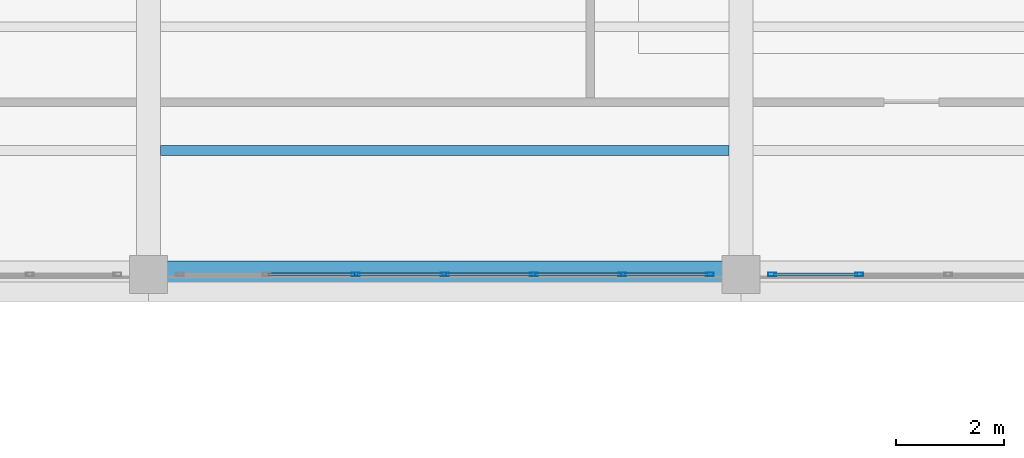
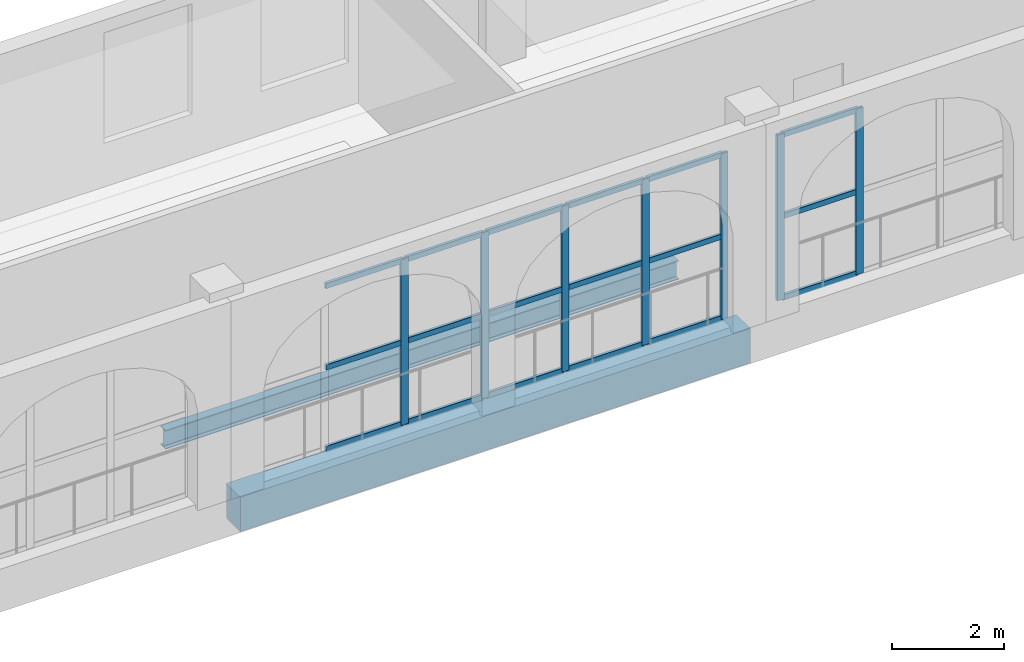
# One storey, part 53 of 156: 25 members, 2 beams, 2 elements without a shape of their own.
"""IFC4 building model written with IfcOpenShell, lengths in metres."""

from ifc_helpers import new_model, si_unit, direction, frame, origin, origin_2d, place, context, subcontext, project, spatial, rectangle, hollow_rectangle, i_section, extrude, material, material_profile, profile_set, type_object, element, aggregate, save


model = new_model("IFC4")

# Units and contexts
model_context = context("Model", 3, precision=1e-05, world=origin(), true_north=direction((0.0, 1.0)))
body_context = subcontext(model_context, "Body", "Model", "MODEL_VIEW")
ifc_project = project(units=[si_unit("LENGTHUNIT", "METRE"), si_unit("AREAUNIT", "SQUARE_METRE"), si_unit("VOLUMEUNIT", "CUBIC_METRE"), si_unit("PLANEANGLEUNIT", "RADIAN"), si_unit("MASSUNIT", "GRAM", prefix="KILO")], contexts=[model_context])

# Site, building, storey
site_placement = place(None, origin())
site = spatial("IfcSite", under=ifc_project, at=site_placement, CompositionType="ELEMENT")
building_placement = place(site_placement, origin())
building = spatial("IfcBuilding", under=site, at=building_placement, Name="Caurita Quay Ferry Terminal", CompositionType="ELEMENT")
storey_placement = place(building_placement, frame((0.0, 0.0, 5.39990234375)))
storey = spatial("IfcBuildingStorey", under=building, at=storey_placement, Name="L01", CompositionType="ELEMENT", Elevation=5.39990234375)

# Beams
ifc_material_1 = material(Name="Structural steel ASTM A992 Gr. 50", Category="steel")
ifc_material_profile_1 = material_profile(ifc_material_1, i_section(OverallWidth=0.1787109375, OverallDepth=0.408935546875, WebThickness=0.0087890625, FlangeThickness=0.014404296875, FilletRadius=0.011474609375, at=origin_2d()), Name="W16X45")
ifc_profile_set_1 = profile_set([ifc_material_profile_1], Name="Structural steel ASTM A992 Gr. 50")
beam_type_1 = type_object("IfcBeamType", Name="BM-JS-W16A", PredefinedType="JOIST", material=ifc_profile_set_1)
beam_1_placement = place(storey_placement, frame((44.22509765625, 110.10009765625, -0.42431640625), z_axis=(1.0, 0.0, 0.0), x_axis=(0.0, 1.0, 0.0)))
element("IfcBeam", 1, at=beam_1_placement, inside=storey, type_object=beam_type_1, Name="L01 Beam JS-V5-L01-034", PredefinedType="JOIST", context=body_context, shape_type="SweptSolid", body=[
    extrude(i_section(OverallWidth=0.1787109375, OverallDepth=0.408935546875, WebThickness=0.0087890625, FlangeThickness=0.014404296875, FilletRadius=0.011474609375, at=origin_2d()), origin(), (0.0, 0.0, 1.0), 10.5498046875),
])
ifc_material_2 = material(Name="Reinforced concrete C35/45", Category="concrete")
ifc_material_profile_2 = material_profile(ifc_material_2, rectangle(XDim=0.5, YDim=0.75, at=origin_2d()), Name="RC-BM-500X750")
ifc_profile_set_2 = profile_set([ifc_material_profile_2], Name="Reinforced concrete C35/45")
beam_type_2 = type_object("IfcBeamType", Name="BM-RC-5075", PredefinedType="BEAM", material=ifc_profile_set_2)
beam_2_placement = place(storey_placement, frame((44.340087890625, 107.800048828125, -0.594970703125), z_axis=(1.0, 0.0, 0.0), x_axis=(0.0, 1.0, 0.0)))
element("IfcBeam", 2, at=beam_2_placement, inside=storey, type_object=beam_type_2, Name="L01 Beam BM-V5-L01-X-443-1078", PredefinedType="BEAM", context=body_context, shape_type="SweptSolid", body=[
    extrude(rectangle(XDim=0.5, YDim=0.75, at=origin_2d()), origin(), (0.0, 0.0, 1.0), 10.485107421875),
])

# Curtain wall, members
ifc_material_3 = material(Name="Laminated solar-control insulated glass", Category="glass")
curtain_wall_type = type_object("IfcCurtainWallType", Name="CW-SYS-23", PredefinedType="NOTDEFINED", material=ifc_material_3)
curtain_wall_1_placement = place(storey_placement, origin())
curtain_wall_1 = element("IfcCurtainWall", 3, at=curtain_wall_1_placement, inside=storey, type_object=curtain_wall_type, Name="L01 Courtyard Cloister Storefront 162", PredefinedType="NOTDEFINED")
ifc_material_4 = material(Name="Anodized aluminium 6063-T6", Category="aluminium")
ifc_material_profile_3 = material_profile(ifc_material_4, hollow_rectangle(XDim=0.06005859375, YDim=0.14990234375, WallThickness=0.00341796875, at=origin_2d()), Name="ALU-MUL-60X150")
ifc_profile_set_3 = profile_set([ifc_material_profile_3], Name="Anodized aluminium 6063-T6")
member_type_1 = type_object("IfcMemberType", Name="CW-MUL-150", PredefinedType="MULLION", material=ifc_profile_set_3)
member_1_placement = place(storey_placement, frame((47.85009765625, 107.800048828125, 0.0), z_axis=(0.0, 0.0, 1.0), x_axis=(0.0, 1.0, 0.0)))
member_1 = element("IfcMember", 4, at=member_1_placement, type_object=member_type_1, Name="CW-CRT-162 Mullion 3", PredefinedType="MULLION", context=body_context, shape_type="SweptSolid", body=[
    extrude(hollow_rectangle(XDim=0.06005859375, YDim=0.14990234375, WallThickness=0.00341796875, at=origin_2d()), origin(), (0.0, 0.0, 1.0), 3.60009765625),
])
member_2_placement = place(storey_placement, frame((49.5, 107.800048828125, 0.0), z_axis=(0.0, 0.0, 1.0), x_axis=(0.0, 1.0, 0.0)))
member_2 = element("IfcMember", 5, at=member_2_placement, type_object=member_type_1, Name="CW-CRT-162 Mullion 4", PredefinedType="MULLION", context=body_context, shape_type="SweptSolid", body=[
    extrude(hollow_rectangle(XDim=0.06005859375, YDim=0.14990234375, WallThickness=0.00341796875, at=origin_2d()), origin(), (0.0, 0.0, 1.0), 3.60009765625),
])
member_3_placement = place(storey_placement, frame((51.14990234375, 107.800048828125, 0.0), z_axis=(0.0, 0.0, 1.0), x_axis=(0.0, 1.0, 0.0)))
member_3 = element("IfcMember", 6, at=member_3_placement, type_object=member_type_1, Name="CW-CRT-162 Mullion 5", PredefinedType="MULLION", context=body_context, shape_type="SweptSolid", body=[
    extrude(hollow_rectangle(XDim=0.06005859375, YDim=0.14990234375, WallThickness=0.00341796875, at=origin_2d()), origin(), (0.0, 0.0, 1.0), 3.60009765625),
])
member_4_placement = place(storey_placement, frame((52.800048828125, 107.800048828125, 0.0), z_axis=(0.0, 0.0, 1.0), x_axis=(0.0, 1.0, 0.0)))
member_4 = element("IfcMember", 7, at=member_4_placement, type_object=member_type_1, Name="CW-CRT-162 Mullion 6", PredefinedType="MULLION", context=body_context, shape_type="SweptSolid", body=[
    extrude(hollow_rectangle(XDim=0.06005859375, YDim=0.14990234375, WallThickness=0.00341796875, at=origin_2d()), origin(), (0.0, 0.0, 1.0), 3.60009765625),
])
member_5_placement = place(storey_placement, frame((54.419921875, 107.800048828125, 0.0), z_axis=(0.0, 0.0, 1.0), x_axis=(0.0, 1.0, 0.0)))
member_5 = element("IfcMember", 8, at=member_5_placement, type_object=member_type_1, Name="CW-CRT-162 Mullion 7", PredefinedType="MULLION", context=body_context, shape_type="SweptSolid", body=[
    extrude(hollow_rectangle(XDim=0.06005859375, YDim=0.14990234375, WallThickness=0.00341796875, at=origin_2d()), origin(), (0.0, 0.0, 1.0), 3.60009765625),
])

curtain_wall_2_placement = place(storey_placement, origin())
curtain_wall_2 = element("IfcCurtainWall", 9, at=curtain_wall_2_placement, inside=storey, type_object=curtain_wall_type, Name="L01 Courtyard Cloister Storefront 163", PredefinedType="NOTDEFINED")
member_6_placement = place(storey_placement, frame((55.580078125, 107.800048828125, 0.0), z_axis=(0.0, 0.0, 1.0), x_axis=(0.0, 1.0, 0.0)))
member_6 = element("IfcMember", 10, at=member_6_placement, type_object=member_type_1, Name="CW-CRT-163 Mullion 1", PredefinedType="MULLION", context=body_context, shape_type="SweptSolid", body=[
    extrude(hollow_rectangle(XDim=0.06005859375, YDim=0.14990234375, WallThickness=0.00341796875, at=origin_2d()), origin(), (0.0, 0.0, 1.0), 3.60009765625),
])
member_7_placement = place(storey_placement, frame((57.199951171875, 107.800048828125, 0.0), z_axis=(0.0, 0.0, 1.0), x_axis=(0.0, 1.0, 0.0)))
member_7 = element("IfcMember", 11, at=member_7_placement, type_object=member_type_1, Name="CW-CRT-163 Mullion 2", PredefinedType="MULLION", context=body_context, shape_type="SweptSolid", body=[
    extrude(hollow_rectangle(XDim=0.06005859375, YDim=0.14990234375, WallThickness=0.00341796875, at=origin_2d()), origin(), (0.0, 0.0, 1.0), 3.60009765625),
])

# Member
ifc_material_profile_4 = material_profile(ifc_material_4, hollow_rectangle(XDim=0.06005859375, YDim=0.114990234375, WallThickness=0.00341796875, at=origin_2d()), Name="ALU-TRN-60X115")
ifc_profile_set_4 = profile_set([ifc_material_profile_4], Name="Anodized aluminium 6063-T6")
member_type_2 = type_object("IfcMemberType", Name="CW-TRN-115", PredefinedType="USERDEFINED", material=ifc_profile_set_4)
member_8_placement = place(storey_placement, frame((46.22802734375, 107.800048828125, 0.030029296875), z_axis=(1.0, 0.0, 0.0), x_axis=(0.0, 1.0, 0.0)))
member_8 = element("IfcMember", 12, at=member_8_placement, type_object=member_type_2, Name="CW-CRT-162 Transom 4", ObjectType="TRANSOM", PredefinedType="USERDEFINED", context=body_context, shape_type="SweptSolid", body=[
    extrude(hollow_rectangle(XDim=0.06005859375, YDim=0.114990234375, WallThickness=0.00341796875, at=origin_2d()), origin(), (0.0, 0.0, 1.0), 1.593994140625),
])

member_9_placement = place(storey_placement, frame((46.22802734375, 107.800048828125, 1.800048828125), z_axis=(1.0, 0.0, 0.0), x_axis=(0.0, 1.0, 0.0)))
member_9 = element("IfcMember", 13, at=member_9_placement, type_object=member_type_2, Name="CW-CRT-162 Transom 5", ObjectType="TRANSOM", PredefinedType="USERDEFINED", context=body_context, shape_type="SweptSolid", body=[
    extrude(hollow_rectangle(XDim=0.06005859375, YDim=0.114990234375, WallThickness=0.00341796875, at=origin_2d()), origin(), (0.0, 0.0, 1.0), 1.593994140625),
])

member_10_placement = place(storey_placement, frame((46.22802734375, 107.800048828125, 3.570068359375), z_axis=(1.0, 0.0, 0.0), x_axis=(0.0, 1.0, 0.0)))
member_10 = element("IfcMember", 14, at=member_10_placement, type_object=member_type_2, Name="CW-CRT-162 Transom 6", ObjectType="TRANSOM", PredefinedType="USERDEFINED", context=body_context, shape_type="SweptSolid", body=[
    extrude(hollow_rectangle(XDim=0.06005859375, YDim=0.114990234375, WallThickness=0.00341796875, at=origin_2d()), origin(), (0.0, 0.0, 1.0), 1.593994140625),
])

member_11_placement = place(storey_placement, frame((47.8779296875, 107.800048828125, 0.030029296875), z_axis=(1.0, 0.0, 0.0), x_axis=(0.0, 1.0, 0.0)))
member_11 = element("IfcMember", 15, at=member_11_placement, type_object=member_type_2, Name="CW-CRT-162 Transom 7", ObjectType="TRANSOM", PredefinedType="USERDEFINED", context=body_context, shape_type="SweptSolid", body=[
    extrude(hollow_rectangle(XDim=0.06005859375, YDim=0.114990234375, WallThickness=0.00341796875, at=origin_2d()), origin(), (0.0, 0.0, 1.0), 1.593994140625),
])

member_12_placement = place(storey_placement, frame((47.8779296875, 107.800048828125, 1.800048828125), z_axis=(1.0, 0.0, 0.0), x_axis=(0.0, 1.0, 0.0)))
member_12 = element("IfcMember", 16, at=member_12_placement, type_object=member_type_2, Name="CW-CRT-162 Transom 8", ObjectType="TRANSOM", PredefinedType="USERDEFINED", context=body_context, shape_type="SweptSolid", body=[
    extrude(hollow_rectangle(XDim=0.06005859375, YDim=0.114990234375, WallThickness=0.00341796875, at=origin_2d()), origin(), (0.0, 0.0, 1.0), 1.593994140625),
])

member_13_placement = place(storey_placement, frame((47.8779296875, 107.800048828125, 3.570068359375), z_axis=(1.0, 0.0, 0.0), x_axis=(0.0, 1.0, 0.0)))
member_13 = element("IfcMember", 17, at=member_13_placement, type_object=member_type_2, Name="CW-CRT-162 Transom 9", ObjectType="TRANSOM", PredefinedType="USERDEFINED", context=body_context, shape_type="SweptSolid", body=[
    extrude(hollow_rectangle(XDim=0.06005859375, YDim=0.114990234375, WallThickness=0.00341796875, at=origin_2d()), origin(), (0.0, 0.0, 1.0), 1.593994140625),
])

member_14_placement = place(storey_placement, frame((49.528076171875, 107.800048828125, 0.030029296875), z_axis=(1.0, 0.0, 0.0), x_axis=(0.0, 1.0, 0.0)))
member_14 = element("IfcMember", 18, at=member_14_placement, type_object=member_type_2, Name="CW-CRT-162 Transom 10", ObjectType="TRANSOM", PredefinedType="USERDEFINED", context=body_context, shape_type="SweptSolid", body=[
    extrude(hollow_rectangle(XDim=0.06005859375, YDim=0.114990234375, WallThickness=0.00341796875, at=origin_2d()), origin(), (0.0, 0.0, 1.0), 1.593994140625),
])

member_15_placement = place(storey_placement, frame((49.528076171875, 107.800048828125, 1.800048828125), z_axis=(1.0, 0.0, 0.0), x_axis=(0.0, 1.0, 0.0)))
member_15 = element("IfcMember", 19, at=member_15_placement, type_object=member_type_2, Name="CW-CRT-162 Transom 11", ObjectType="TRANSOM", PredefinedType="USERDEFINED", context=body_context, shape_type="SweptSolid", body=[
    extrude(hollow_rectangle(XDim=0.06005859375, YDim=0.114990234375, WallThickness=0.00341796875, at=origin_2d()), origin(), (0.0, 0.0, 1.0), 1.593994140625),
])

member_16_placement = place(storey_placement, frame((49.528076171875, 107.800048828125, 3.570068359375), z_axis=(1.0, 0.0, 0.0), x_axis=(0.0, 1.0, 0.0)))
member_16 = element("IfcMember", 20, at=member_16_placement, type_object=member_type_2, Name="CW-CRT-162 Transom 12", ObjectType="TRANSOM", PredefinedType="USERDEFINED", context=body_context, shape_type="SweptSolid", body=[
    extrude(hollow_rectangle(XDim=0.06005859375, YDim=0.114990234375, WallThickness=0.00341796875, at=origin_2d()), origin(), (0.0, 0.0, 1.0), 1.593994140625),
])

member_17_placement = place(storey_placement, frame((51.177978515625, 107.800048828125, 0.030029296875), z_axis=(1.0, 0.0, 0.0), x_axis=(0.0, 1.0, 0.0)))
member_17 = element("IfcMember", 21, at=member_17_placement, type_object=member_type_2, Name="CW-CRT-162 Transom 13", ObjectType="TRANSOM", PredefinedType="USERDEFINED", context=body_context, shape_type="SweptSolid", body=[
    extrude(hollow_rectangle(XDim=0.06005859375, YDim=0.114990234375, WallThickness=0.00341796875, at=origin_2d()), origin(), (0.0, 0.0, 1.0), 1.593994140625),
])

member_18_placement = place(storey_placement, frame((51.177978515625, 107.800048828125, 1.800048828125), z_axis=(1.0, 0.0, 0.0), x_axis=(0.0, 1.0, 0.0)))
member_18 = element("IfcMember", 22, at=member_18_placement, type_object=member_type_2, Name="CW-CRT-162 Transom 14", ObjectType="TRANSOM", PredefinedType="USERDEFINED", context=body_context, shape_type="SweptSolid", body=[
    extrude(hollow_rectangle(XDim=0.06005859375, YDim=0.114990234375, WallThickness=0.00341796875, at=origin_2d()), origin(), (0.0, 0.0, 1.0), 1.593994140625),
])

member_19_placement = place(storey_placement, frame((51.177978515625, 107.800048828125, 3.570068359375), z_axis=(1.0, 0.0, 0.0), x_axis=(0.0, 1.0, 0.0)))
member_19 = element("IfcMember", 23, at=member_19_placement, type_object=member_type_2, Name="CW-CRT-162 Transom 15", ObjectType="TRANSOM", PredefinedType="USERDEFINED", context=body_context, shape_type="SweptSolid", body=[
    extrude(hollow_rectangle(XDim=0.06005859375, YDim=0.114990234375, WallThickness=0.00341796875, at=origin_2d()), origin(), (0.0, 0.0, 1.0), 1.593994140625),
])

member_20_placement = place(storey_placement, frame((52.827880859375, 107.800048828125, 0.030029296875), z_axis=(1.0, 0.0, 0.0), x_axis=(0.0, 1.0, 0.0)))
member_20 = element("IfcMember", 24, at=member_20_placement, type_object=member_type_2, Name="CW-CRT-162 Transom 16", ObjectType="TRANSOM", PredefinedType="USERDEFINED", context=body_context, shape_type="SweptSolid", body=[
    extrude(hollow_rectangle(XDim=0.06005859375, YDim=0.114990234375, WallThickness=0.00341796875, at=origin_2d()), origin(), (0.0, 0.0, 1.0), 1.564208984375),
])

member_21_placement = place(storey_placement, frame((52.827880859375, 107.800048828125, 1.800048828125), z_axis=(1.0, 0.0, 0.0), x_axis=(0.0, 1.0, 0.0)))
member_21 = element("IfcMember", 25, at=member_21_placement, type_object=member_type_2, Name="CW-CRT-162 Transom 17", ObjectType="TRANSOM", PredefinedType="USERDEFINED", context=body_context, shape_type="SweptSolid", body=[
    extrude(hollow_rectangle(XDim=0.06005859375, YDim=0.114990234375, WallThickness=0.00341796875, at=origin_2d()), origin(), (0.0, 0.0, 1.0), 1.564208984375),
])

member_22_placement = place(storey_placement, frame((52.827880859375, 107.800048828125, 3.570068359375), z_axis=(1.0, 0.0, 0.0), x_axis=(0.0, 1.0, 0.0)))
member_22 = element("IfcMember", 26, at=member_22_placement, type_object=member_type_2, Name="CW-CRT-162 Transom 18", ObjectType="TRANSOM", PredefinedType="USERDEFINED", context=body_context, shape_type="SweptSolid", body=[
    extrude(hollow_rectangle(XDim=0.06005859375, YDim=0.114990234375, WallThickness=0.00341796875, at=origin_2d()), origin(), (0.0, 0.0, 1.0), 1.564208984375),
])

aggregate(curtain_wall_1, [member_1, member_2, member_3, member_4, member_5, member_8, member_9, member_10, member_11, member_12, member_13, member_14, member_15, member_16, member_17, member_18, member_19, member_20, member_21, member_22])

member_23_placement = place(storey_placement, frame((55.60791015625, 107.800048828125, 0.030029296875), z_axis=(1.0, 0.0, 0.0), x_axis=(0.0, 1.0, 0.0)))
member_23 = element("IfcMember", 27, at=member_23_placement, type_object=member_type_2, Name="CW-CRT-163 Transom 1", ObjectType="TRANSOM", PredefinedType="USERDEFINED", context=body_context, shape_type="SweptSolid", body=[
    extrude(hollow_rectangle(XDim=0.06005859375, YDim=0.114990234375, WallThickness=0.00341796875, at=origin_2d()), origin(), (0.0, 0.0, 1.0), 1.564208984375),
])

member_24_placement = place(storey_placement, frame((55.60791015625, 107.800048828125, 1.800048828125), z_axis=(1.0, 0.0, 0.0), x_axis=(0.0, 1.0, 0.0)))
member_24 = element("IfcMember", 28, at=member_24_placement, type_object=member_type_2, Name="CW-CRT-163 Transom 2", ObjectType="TRANSOM", PredefinedType="USERDEFINED", context=body_context, shape_type="SweptSolid", body=[
    extrude(hollow_rectangle(XDim=0.06005859375, YDim=0.114990234375, WallThickness=0.00341796875, at=origin_2d()), origin(), (0.0, 0.0, 1.0), 1.564208984375),
])

member_25_placement = place(storey_placement, frame((55.60791015625, 107.800048828125, 3.570068359375), z_axis=(1.0, 0.0, 0.0), x_axis=(0.0, 1.0, 0.0)))
member_25 = element("IfcMember", 29, at=member_25_placement, type_object=member_type_2, Name="CW-CRT-163 Transom 3", ObjectType="TRANSOM", PredefinedType="USERDEFINED", context=body_context, shape_type="SweptSolid", body=[
    extrude(hollow_rectangle(XDim=0.06005859375, YDim=0.114990234375, WallThickness=0.00341796875, at=origin_2d()), origin(), (0.0, 0.0, 1.0), 1.564208984375),
])

aggregate(curtain_wall_2, [member_6, member_7, member_23, member_24, member_25])

save(model, "model.ifc")
